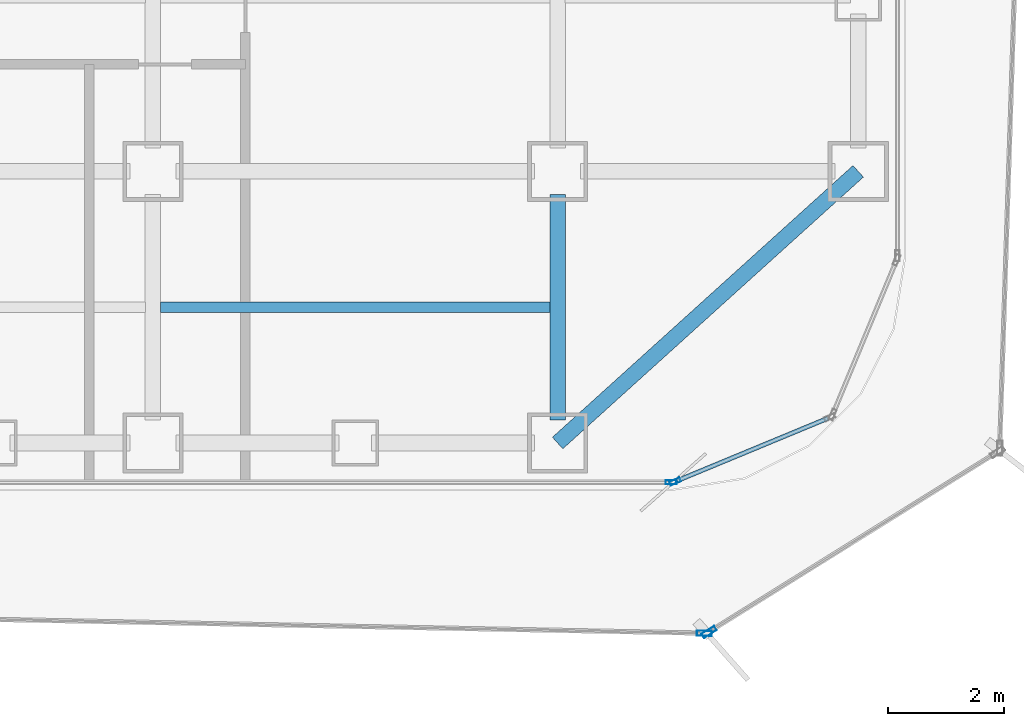
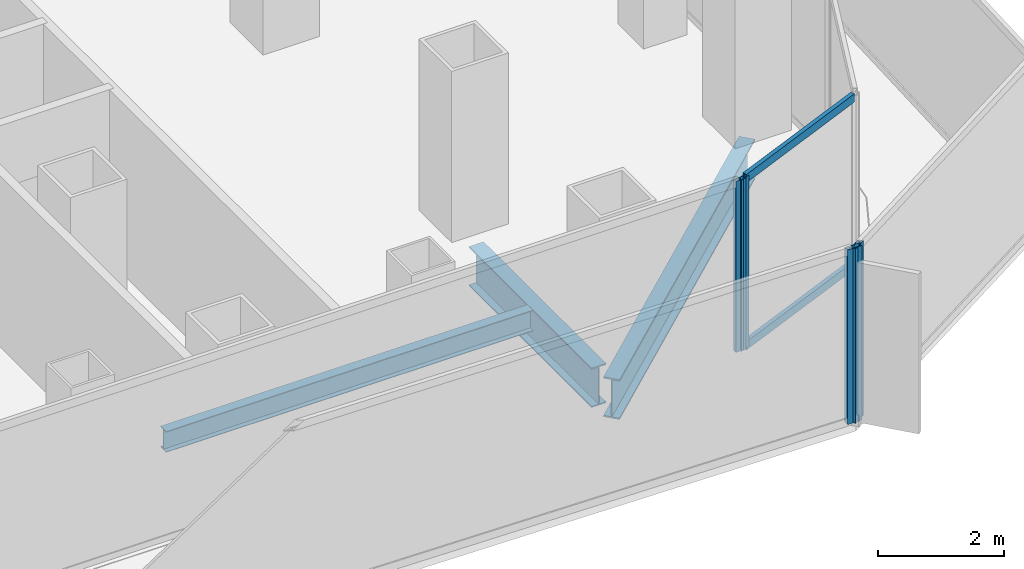
# One storey, part 6 of 21: 6 members, 3 beams, 4 elements without a shape of their own.
"""IFC4 building model written with IfcOpenShell, lengths in metres."""

from ifc_helpers import new_model, si_unit, direction, frame, origin, origin_2d, place, context, subcontext, project, spatial, hollow_rectangle, i_section, extrude, source, transform, mapped, material, layer, layer_set, material_profile, profile_set, type_object, element, aggregate, save


model = new_model("IFC4")

# Units and contexts
model_context = context("Model", 3, precision=1e-05, world=origin(), true_north=direction((0.0, 1.0)))
body_context = subcontext(model_context, "Body", "Model", "MODEL_VIEW")
ifc_project = project(units=[si_unit("LENGTHUNIT", "METRE"), si_unit("AREAUNIT", "SQUARE_METRE"), si_unit("VOLUMEUNIT", "CUBIC_METRE"), si_unit("PLANEANGLEUNIT", "RADIAN"), si_unit("MASSUNIT", "GRAM", prefix="KILO")], contexts=[model_context])

# Site, building, storey
site_placement = place(None, origin())
site = spatial("IfcSite", under=ifc_project, at=site_placement, CompositionType="ELEMENT")
building_placement = place(site_placement, origin())
building = spatial("IfcBuilding", under=site, at=building_placement, Name="Kolveth Station Tower", CompositionType="ELEMENT")
storey_placement = place(building_placement, frame((0.0, 0.0, 33.300048828125)))
storey = spatial("IfcBuildingStorey", under=building, at=storey_placement, Name="L08", CompositionType="ELEMENT", Elevation=33.300048828125)

# Beams
ifc_material_1 = material(Name="Steel S355", Category="steel")
ifc_material_profile_1 = material_profile(ifc_material_1, i_section(OverallWidth=0.26904296875, OverallDepth=0.77490234375, WebThickness=0.01708984375, FlangeThickness=0.0283203125, at=origin_2d()), Name="W760x220")
ifc_profile_set_1 = profile_set([ifc_material_profile_1], Name="Steel S355")
beam_type_1 = type_object("IfcBeamType", Name="Beam_SP1", PredefinedType="SPANDREL", material=ifc_profile_set_1)
shared_shape_1 = source(origin(), body_context, "Body", "SweptSolid", [
    extrude(i_section(OverallWidth=0.26904296875, OverallDepth=0.77490234375, WebThickness=0.01708984375, FlangeThickness=0.0283203125, at=origin_2d()), origin(), (0.0, 0.0, 1.0), 7.00927734375),
])
beam_1_placement = place(storey_placement, frame((41.0, 0.800048828125, -0.66748046875), z_axis=(0.741874009795, 0.670539300557, 0.0), x_axis=(-0.670539300557, 0.741874009795, 0.0)))
element("IfcBeam", 1, at=beam_1_placement, inside=storey, type_object=beam_type_1, Name="L08 Corner Edge Girder BM-L08-CNR-SE", PredefinedType="SPANDREL", context=body_context, shape_type="MappedRepresentation", body=[
    mapped(shared_shape_1, transform((0.0, 0.0, 0.0), x_axis=(1.0, 0.0, 0.0), y_axis=(0.0, 1.0, 0.0), z_axis=(0.0, 0.0, 1.0), scale=1.0)),
])
ifc_material_profile_2 = material_profile(ifc_material_1, i_section(OverallWidth=0.26708984375, OverallDepth=0.76611328125, WebThickness=0.014892578125, FlangeThickness=0.023681640625, at=origin_2d()), Name="W760x185")
ifc_profile_set_2 = profile_set([ifc_material_profile_2], Name="Steel S355")
beam_type_2 = type_object("IfcBeamType", Name="Beam_B3", PredefinedType="BEAM", material=ifc_profile_set_2)
shared_shape_2 = source(origin(), body_context, "Body", "SweptSolid", [
    extrude(i_section(OverallWidth=0.26708984375, OverallDepth=0.76611328125, WebThickness=0.014892578125, FlangeThickness=0.023681640625, at=origin_2d()), origin(), (0.0, 0.0, 1.0), 3.900146484375),
])
beam_2_placement = place(storey_placement, frame((41.0, 1.199951171875, -0.6630859375), z_axis=(0.0, 1.0, 0.0), x_axis=(-1.0, 0.0, 0.0)))
element("IfcBeam", 2, at=beam_2_placement, inside=storey, type_object=beam_type_2, Name="L08 Primary Girder BM-L08-GX410-1", PredefinedType="BEAM", context=body_context, shape_type="MappedRepresentation", body=[
    mapped(shared_shape_2, transform((0.0, 0.0, 0.0), x_axis=(1.0, 0.0, 0.0), y_axis=(0.0, 1.0, 0.0), z_axis=(0.0, 0.0, 1.0), scale=1.0)),
])
ifc_material_profile_3 = material_profile(ifc_material_1, i_section(OverallWidth=0.177978515625, OverallDepth=0.406982421875, WebThickness=0.0078125, FlangeThickness=0.0126953125, at=origin_2d()), Name="W410x60")
ifc_profile_set_3 = profile_set([ifc_material_profile_3], Name="Steel S355")
beam_type_3 = type_object("IfcBeamType", Name="Beam_J1", PredefinedType="JOIST", material=ifc_profile_set_3)
shared_shape_3 = source(origin(), body_context, "Body", "SweptSolid", [
    extrude(i_section(OverallWidth=0.177978515625, OverallDepth=0.406982421875, WebThickness=0.0078125, FlangeThickness=0.0126953125, at=origin_2d()), origin(), (0.0, 0.0, 1.0), 6.73681640625),
])
beam_3_placement = place(storey_placement, frame((34.131591796875, 3.14990234375, -0.483642578125), z_axis=(1.0, 0.0, 0.0), x_axis=(0.0, 1.0, 0.0)))
element("IfcBeam", 3, at=beam_3_placement, inside=storey, type_object=beam_type_3, Name="L08 Secondary Joist JST-L08-6-1", PredefinedType="JOIST", context=body_context, shape_type="MappedRepresentation", body=[
    mapped(shared_shape_3, transform((0.0, 0.0, 0.0), x_axis=(1.0, 0.0, 0.0), y_axis=(0.0, 1.0, 0.0), z_axis=(0.0, 0.0, 1.0), scale=1.0)),
])

# Curtain wall, member
ifc_material_2 = material(Name="Aluminium 6063-T6 and low-E dark glass", Category="aluminium")
ifc_layer_1 = layer(ifc_material_2, 0.179931640625)
ifc_layer_set_1 = layer_set([ifc_layer_1], Name="Aluminium 6063-T6 and low-E dark glass")
curtain_wall_type_1 = type_object("IfcCurtainWallType", Name="CurtainWall_CW-Z1", PredefinedType="NOTDEFINED", material=ifc_layer_set_1)
curtain_wall_1_placement = place(storey_placement, origin())
curtain_wall_1 = element("IfcCurtainWall", 4, at=curtain_wall_1_placement, inside=storey, type_object=curtain_wall_type_1, Name="L08 Inner Thermal Curtain Wall 1", PredefinedType="NOTDEFINED")
ifc_material_3 = material(Name="Black anodized aluminium 6063-T6", Category="aluminium")
ifc_material_profile_4 = material_profile(ifc_material_3, hollow_rectangle(XDim=0.074951171875, YDim=0.18994140625, WallThickness=0.0048828125, at=origin_2d()), Name="ALU-75x190x5")
ifc_profile_set_4 = profile_set([ifc_material_profile_4], Name="Black anodized aluminium 6063-T6")
member_type_1 = type_object("IfcMemberType", Name="Mullion_ML1", PredefinedType="MULLION", material=ifc_profile_set_4)
shared_shape_4 = source(origin(), body_context, "Body", "SweptSolid", [
    extrude(hollow_rectangle(XDim=0.074951171875, YDim=0.18994140625, WallThickness=0.0048828125, at=origin_2d()), origin(), (0.0, 0.0, 1.0), 3.320068359375),
])
member_1_placement = place(storey_placement, frame((43.03466796875, 0.13427734375, 0.0), z_axis=(0.0, 0.0, 1.0), x_axis=(-0.382672990201, 0.923883857728, 0.0)))
member_1 = element("IfcMember", 5, at=member_1_placement, type_object=member_type_1, Name="CW-Z1 mullion 1", PredefinedType="MULLION", context=body_context, shape_type="MappedRepresentation", body=[
    mapped(shared_shape_4, transform((0.0, 0.0, 0.0), x_axis=(1.0, 0.0, 0.0), y_axis=(0.0, 1.0, 0.0), z_axis=(0.0, 0.0, 1.0), scale=1.0)),
])

curtain_wall_2_placement = place(storey_placement, origin())
curtain_wall_2 = element("IfcCurtainWall", 6, at=curtain_wall_2_placement, inside=storey, type_object=curtain_wall_type_1, Name="L08 Inner Thermal Curtain Wall 12", PredefinedType="NOTDEFINED")
member_2_placement = place(storey_placement, frame((42.96240234375, 0.1201171875, 0.0), z_axis=(0.0, 0.0, 1.0), x_axis=(0.0, 1.0, 0.0)))
member_2 = element("IfcMember", 7, at=member_2_placement, type_object=member_type_1, Name="CW-Z1 mullion 3", PredefinedType="MULLION", context=body_context, shape_type="MappedRepresentation", body=[
    mapped(shared_shape_4, transform((0.0, 0.0, 0.0), x_axis=(1.0, 0.0, 0.0), y_axis=(0.0, 1.0, 0.0), z_axis=(0.0, 0.0, 1.0), scale=1.0)),
])
aggregate(curtain_wall_2, [member_2])

# Member
ifc_material_profile_5 = material_profile(ifc_material_3, hollow_rectangle(XDim=0.074951171875, YDim=0.159912109375, WallThickness=0.0048828125, at=origin_2d()), Name="ALU-75x160x5")
ifc_profile_set_5 = profile_set([ifc_material_profile_5], Name="Black anodized aluminium 6063-T6")
member_type_2 = type_object("IfcMemberType", Name="Transom_TR1", PredefinedType="USERDEFINED", material=ifc_profile_set_5)
shared_shape_5 = source(origin(), body_context, "Body", "SweptSolid", [
    extrude(hollow_rectangle(XDim=0.074951171875, YDim=0.159912109375, WallThickness=0.0048828125, at=origin_2d()), origin(), (0.0, 0.0, 1.0), 2.819580078125),
])
member_3_placement = place(storey_placement, frame((43.0693359375, 0.148681640625, 0.037353515625), z_axis=(0.923869084389, 0.382708655389, 0.0), x_axis=(-0.382708655389, 0.923869084389, 0.0)))
member_3 = element("IfcMember", 8, at=member_3_placement, type_object=member_type_2, Name="CW-Z1 transom 1.1", ObjectType="TRANSOM", PredefinedType="USERDEFINED", context=body_context, shape_type="MappedRepresentation", body=[
    mapped(shared_shape_5, transform((0.0, 0.0, 0.0), x_axis=(1.0, 0.0, 0.0), y_axis=(0.0, 1.0, 0.0), z_axis=(0.0, 0.0, 1.0), scale=1.0)),
])

member_4_placement = place(storey_placement, frame((43.0693359375, 0.148681640625, 3.282470703125), z_axis=(0.923869084389, 0.382708655389, 0.0), x_axis=(-0.382708655389, 0.923869084389, 0.0)))
member_4 = element("IfcMember", 9, at=member_4_placement, type_object=member_type_2, Name="CW-Z1 transom 1.2", ObjectType="TRANSOM", PredefinedType="USERDEFINED", context=body_context, shape_type="MappedRepresentation", body=[
    mapped(shared_shape_5, transform((0.0, 0.0, 0.0), x_axis=(1.0, 0.0, 0.0), y_axis=(0.0, 1.0, 0.0), z_axis=(0.0, 0.0, 1.0), scale=1.0)),
])

aggregate(curtain_wall_1, [member_1, member_3, member_4])

# Curtain wall, member
ifc_material_4 = material(Name="Black anodized aluminium 6063-T6 and dark solar glass", Category="aluminium")
ifc_layer_2 = layer(ifc_material_4, 0.159912109375)
ifc_layer_set_2 = layer_set([ifc_layer_2], Name="Black anodized aluminium 6063-T6 and dark solar glass")
curtain_wall_type_2 = type_object("IfcCurtainWallType", Name="OUTER SKIN CW-OS", PredefinedType="NOTDEFINED", material=ifc_layer_set_2)
curtain_wall_3_placement = place(storey_placement, origin())
curtain_wall_3 = element("IfcCurtainWall", 10, at=curtain_wall_3_placement, inside=storey, type_object=curtain_wall_type_2, Name="L08 Outer Ventilated Skin Curtain Wall 1", PredefinedType="NOTDEFINED")
ifc_material_profile_6 = material_profile(ifc_material_3, hollow_rectangle(XDim=0.090087890625, YDim=0.260009765625, WallThickness=0.0048828125, at=origin_2d()), Name="ALU-90x260x5")
ifc_profile_set_6 = profile_set([ifc_material_profile_6], Name="Black anodized aluminium 6063-T6")
member_type_3 = type_object("IfcMemberType", Name="FIN MULLION ML-OS", PredefinedType="MULLION", material=ifc_profile_set_6)
shared_shape_6 = source(origin(), body_context, "Body", "SweptSolid", [
    extrude(hollow_rectangle(XDim=0.090087890625, YDim=0.260009765625, WallThickness=0.0048828125, at=origin_2d()), origin(), (0.0, 0.0, 1.0), 3.389892578125),
])
member_5_placement = place(storey_placement, frame((43.619873046875, -2.468994140625, 0.0), z_axis=(0.0, 0.0, 1.0), x_axis=(-0.529182856199, 0.848507810633, 0.0)))
member_5 = element("IfcMember", 11, at=member_5_placement, type_object=member_type_3, Name="CW-OS mullion 1", PredefinedType="MULLION", context=body_context, shape_type="MappedRepresentation", body=[
    mapped(shared_shape_6, transform((0.0, 0.0, 0.0), x_axis=(1.0, 0.0, 0.0), y_axis=(0.0, 1.0, 0.0), z_axis=(0.0, 0.0, 1.0), scale=1.0)),
])
aggregate(curtain_wall_3, [member_5])

curtain_wall_4_placement = place(storey_placement, origin())
curtain_wall_4 = element("IfcCurtainWall", 12, at=curtain_wall_4_placement, inside=storey, type_object=curtain_wall_type_2, Name="L08 Outer Ventilated Skin Curtain Wall 8", PredefinedType="NOTDEFINED")
member_6_placement = place(storey_placement, frame((43.53662109375, -2.491943359375, 0.0), z_axis=(0.0, 0.0, 1.0), x_axis=(0.019366016544, 0.999812461116, 0.0)))
member_6 = element("IfcMember", 13, at=member_6_placement, type_object=member_type_3, Name="CW-OS mullion 2", PredefinedType="MULLION", context=body_context, shape_type="MappedRepresentation", body=[
    mapped(shared_shape_6, transform((0.0, 0.0, 0.0), x_axis=(1.0, 0.0, 0.0), y_axis=(0.0, 1.0, 0.0), z_axis=(0.0, 0.0, 1.0), scale=1.0)),
])
aggregate(curtain_wall_4, [member_6])

save(model, "model.ifc")
